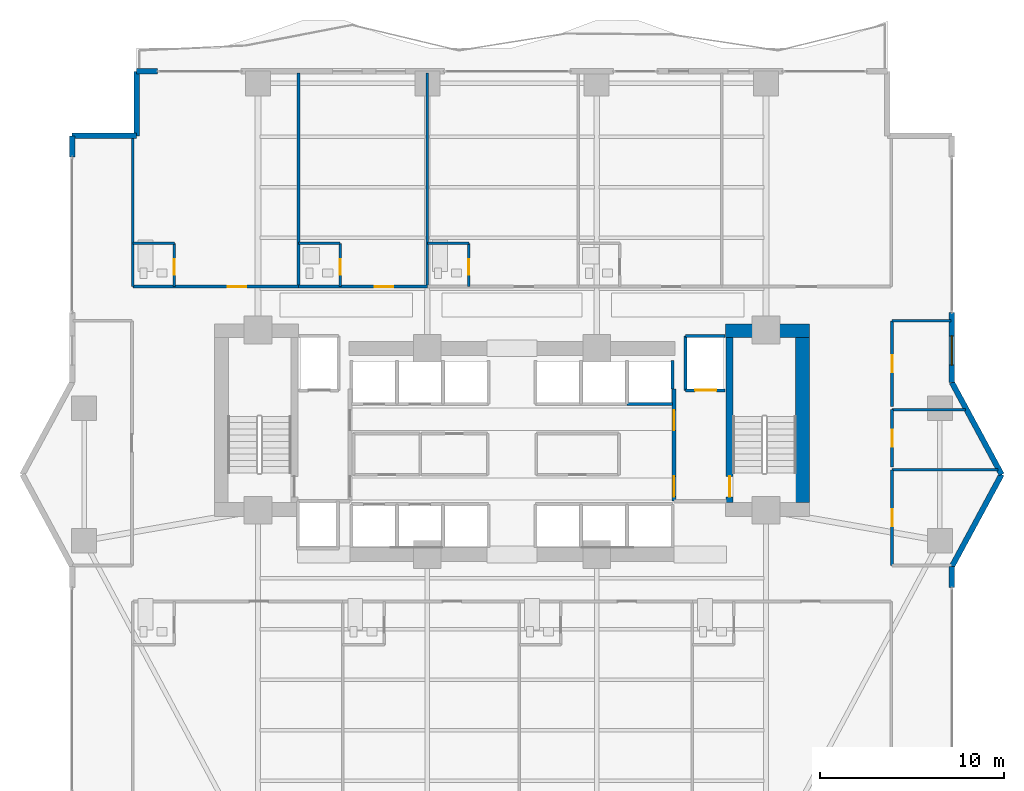
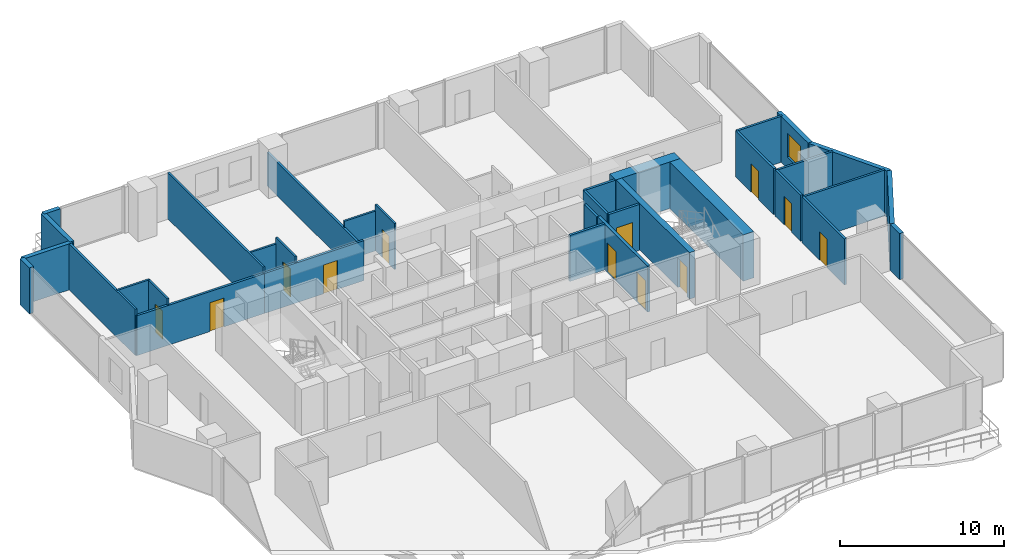
# One storey, part 22 of 27: 34 walls, 12 doors, 1 window, 13 openings.
"""IFC4 building model written with IfcOpenShell, lengths in metres."""

from ifc_helpers import new_model, si_unit, direction, frame, frame_2d, origin, place, context, subcontext, project, spatial, rectangle, extrude, material, layer, layer_set, type_object, element, fill, save


model = new_model("IFC4")

# Units and contexts
model_context = context("Model", 3, precision=1e-05, world=origin(), true_north=direction((0.0, 1.0)))
body_context = subcontext(model_context, "Body", "Model", "MODEL_VIEW")
ifc_project = project(units=[si_unit("LENGTHUNIT", "METRE"), si_unit("AREAUNIT", "SQUARE_METRE"), si_unit("VOLUMEUNIT", "CUBIC_METRE"), si_unit("PLANEANGLEUNIT", "RADIAN"), si_unit("MASSUNIT", "GRAM", prefix="KILO")], contexts=[model_context])

# Site, building, storey
site_placement = place(None, origin())
site = spatial("IfcSite", under=ifc_project, at=site_placement, CompositionType="ELEMENT")
building_placement = place(site_placement, origin())
building = spatial("IfcBuilding", under=site, at=building_placement, Name="Zuhayl Quay Hotel", CompositionType="ELEMENT")
storey_placement = place(building_placement, frame((0.0, 0.0, 124.85009765625)))
storey = spatial("IfcBuildingStorey", under=building, at=storey_placement, Name="L31", CompositionType="ELEMENT", Elevation=124.85009765625)

# Walls
ifc_material_1 = material(Name="Concrete C60/75", Category="concrete")
ifc_layer_1 = layer(ifc_material_1, 0.75, Name="Concrete C60/75", Category="concrete")
ifc_layer_set_1 = layer_set([ifc_layer_1], Name="Concrete C60/75")
wall_type_1 = type_object("IfcWallType", Name="WL_CORE_750", PredefinedType="SHEAR", material=ifc_layer_set_1)
wall_1_placement = place(storey_placement, frame((11.60009765625, 14.304931640625, 0.0), z_axis=(0.0, 0.0, 1.0), x_axis=(1.0, 0.0, 0.0)))
element("IfcWall", 1, at=wall_1_placement, inside=storey, type_object=wall_type_1, Name="L31 Core Shear Wall CW_NE", PredefinedType="SHEAR", context=body_context, shape_type="SweptSolid", body=[
    extrude(rectangle(XDim=4.559814453125, YDim=0.75, at=frame_2d((2.27978515625, 0.0))), origin(), (0.0, 0.0, 1.0), 3.4599609375),
])
wall_2_placement = place(storey_placement, frame((15.784912109375, 4.969970703125, 0.0), z_axis=(0.0, 0.0, 1.0), x_axis=(0.0, 1.0, 0.0)))
element("IfcWall", 2, at=wall_2_placement, inside=storey, type_object=wall_type_1, Name="L31 Core Shear Wall CW_E", PredefinedType="SHEAR", context=body_context, shape_type="SweptSolid", body=[
    extrude(rectangle(XDim=8.9599609375, YDim=0.75, at=frame_2d((4.47998046875, 0.0))), origin(), (0.0, 0.0, 1.0), 3.4599609375),
])
ifc_material_2 = material(Name="Precast concrete C45/55", Category="concrete")
ifc_layer_2 = layer(ifc_material_2, 0.300048828125, Name="Precast concrete C45/55", Category="concrete")
ifc_layer_set_2 = layer_set([ifc_layer_2], Name="Precast concrete C45/55")
wall_type_2 = type_object("IfcWallType", Name="WL_EXT_300", PredefinedType="STANDARD", material=ifc_layer_set_2)
wall_3_placement = place(storey_placement, frame((-23.89990234375, 23.75, 0.0), z_axis=(0.0, 0.0, 1.0), x_axis=(0.0, 1.0, 0.0)))
element("IfcWall", 3, at=wall_3_placement, inside=storey, type_object=wall_type_2, Name="L31 Exterior Precast Wall ENV_L31_E05_EW2", PredefinedType="STANDARD", context=body_context, shape_type="SweptSolid", body=[
    extrude(rectangle(XDim=1.14990234375, YDim=0.300048828125, at=frame_2d((0.574951171875, 0.0))), origin(), (0.0, 0.0, 1.0), 3.429931640625),
])
for number, where, z_axis, x_axis, name in (
    (4, (-23.89990234375, 24.89990234375, 0.0), (0.0, 0.0, 1.0), (1.0, 0.0, 0.0), "L31 Exterior Precast Wall ENV_L31_EW06"),
    (5, (-20.39990234375, 24.89990234375, 0.0), (0.0, 0.0, 1.0), (0.0, 1.0, 0.0), "L31 Exterior Precast Wall ENV_L31_EW07"),
):
    element("IfcWall", number, at=place(storey_placement, frame(where, z_axis=z_axis, x_axis=x_axis)), inside=storey, type_object=wall_type_2, Name=name, PredefinedType="STANDARD", context=body_context, shape_type="SweptSolid", body=[
        extrude(rectangle(XDim=3.5, YDim=0.300048828125, at=frame_2d((1.75, 0.0))), origin(), (0.0, 0.0, 1.0), 3.429931640625),
    ])
wall_4_placement = place(storey_placement, frame((-20.39990234375, 28.39990234375, 0.0), z_axis=(0.0, 0.0, 1.0), x_axis=(1.0, 0.0, 0.0)))
element("IfcWall", 6, at=wall_4_placement, inside=storey, type_object=wall_type_2, Name="L31 Exterior Precast Wall ENV_L31_N_EW1", PredefinedType="STANDARD", context=body_context, shape_type="SweptSolid", body=[
    extrude(rectangle(XDim=1.14990234375, YDim=0.300048828125, at=frame_2d((0.574951171875, 0.0))), origin(), (0.0, 0.0, 1.0), 3.429931640625),
])

# Wall, opening, window
wall_5_placement = place(storey_placement, frame((23.89990234375, 15.300048828125, 0.0), z_axis=(0.0, 0.0, 1.0), x_axis=(0.0, -1.0, 0.0)))
wall_5 = element("IfcWall", 7, at=wall_5_placement, inside=storey, type_object=wall_type_2, Name="L31 Exterior Precast Wall ENV_L31_E11_EW2", PredefinedType="STANDARD", context=body_context, shape_type="SweptSolid", body=[
    extrude(rectangle(XDim=3.800048828125, YDim=0.300048828125, at=frame_2d((1.89990234375, 0.0))), origin(), (0.0, 0.0, 1.0), 3.429931640625),
])
opening_1_placement = place(wall_5_placement, frame((1.264892578125, 0.0, 0.85009765625)))
opening_1 = element("IfcOpeningElement", 8, at=opening_1_placement, cuts=wall_5, Name="Opening W01", PredefinedType="OPENING", context=body_context, shape_type="SweptSolid", body=[
    extrude(rectangle(XDim=1.60009765625, YDim=1.800048828125, at=frame_2d((0.800048828125, 0.89990234375))), frame((0.0, 0.159912109375, 0.0), z_axis=(0.0, -1.0, 0.0), x_axis=(1.0, 0.0, 0.0)), (0.0, 0.0, 1.0), 0.320068359375),
])
ifc_material_3 = material(Name="Dark Ceramic-Fritted Solar Glass", Category="glass")
window_type = type_object("IfcWindowType", Name="WN_OPERABLE_1600", PartitioningType="DOUBLE_PANEL_VERTICAL", PredefinedType="WINDOW", material=ifc_material_3)
window_placement = place(opening_1_placement, origin())
window = element("IfcWindow", 9, at=window_placement, inside=storey, type_object=window_type, Name="L31 Operable Facade Window 2-1", OverallHeight=1.800048828125, OverallWidth=1.60009765625, PartitioningType="SINGLE_PANEL", PredefinedType="WINDOW", context=body_context, shape_type="SweptSolid", body=[
    extrude(rectangle(XDim=1.60009765625, YDim=1.800048828125, at=frame_2d((0.800048828125, 0.89990234375))), frame((0.0, 0.030029296875, 0.0), z_axis=(0.0, -1.0, 0.0), x_axis=(1.0, 0.0, 0.0)), (0.0, 0.0, 1.0), 0.06005859375),
])
fill(opening_1, window)

# Walls
for number, where, z_axis, x_axis, name in (
    (10, (23.89990234375, 11.5, 0.0), (0.0, 0.0, 1.0), (0.475175525499, -0.879891027325, 0.0), "L31 Exterior Precast Wall ENV_L31_EW12"),
    (11, (26.60009765625, 6.5, 0.0), (0.0, 0.0, 1.0), (-0.475175525499, -0.879891027325, 0.0), "L31 Exterior Precast Wall ENV_L31_EW13"),
):
    element("IfcWall", number, at=place(storey_placement, frame(where, z_axis=z_axis, x_axis=x_axis)), inside=storey, type_object=wall_type_2, Name=name, PredefinedType="STANDARD", context=body_context, shape_type="SweptSolid", body=[
        extrude(rectangle(XDim=5.6826171875, YDim=0.300048828125, at=frame_2d((2.84130859375, 0.0))), origin(), (0.0, 0.0, 1.0), 3.429931640625),
    ])
wall_6_placement = place(storey_placement, frame((23.89990234375, 1.5, 0.0), z_axis=(0.0, 0.0, 1.0), x_axis=(0.0, -1.0, 0.0)))
element("IfcWall", 12, at=wall_6_placement, inside=storey, type_object=wall_type_2, Name="L31 Exterior Precast Wall ENV_L31_E14_EW1", PredefinedType="STANDARD", context=body_context, shape_type="SweptSolid", body=[
    extrude(rectangle(XDim=1.14990234375, YDim=0.300048828125, at=frame_2d((0.574951171875, 0.0))), origin(), (0.0, 0.0, 1.0), 3.429931640625),
])
ifc_material_4 = material(Name="Acoustic Gypsum Partition STC-58")
ifc_layer_3 = layer(ifc_material_4, 0.14990234375, Name="Acoustic Gypsum Partition STC-58")
ifc_layer_set_3 = layer_set([ifc_layer_3], Name="Acoustic Gypsum Partition STC-58")
wall_type_3 = type_object("IfcWallType", Name="WL_PART_150", PredefinedType="PARTITIONING", material=ifc_layer_set_3)
wall_7_placement = place(storey_placement, frame((-20.60009765625, 16.699951171875, 0.0), z_axis=(0.0, 0.0, 1.0), x_axis=(0.0, 1.0, 0.0)))
element("IfcWall", 13, at=wall_7_placement, inside=storey, type_object=wall_type_3, Name="L31 Partition IW_L31_NU01_W", PredefinedType="PARTITIONING", context=body_context, shape_type="SweptSolid", body=[
    extrude(rectangle(XDim=8.199951171875, YDim=0.14990234375, at=frame_2d((4.10009765625, 0.0))), origin(), (0.0, 0.0, 1.0), 3.429931640625),
])
wall_8_placement = place(storey_placement, frame((-11.60009765625, 16.699951171875, 0.0), z_axis=(0.0, 0.0, 1.0), x_axis=(0.0, 1.0, 0.0)))
element("IfcWall", 14, at=wall_8_placement, inside=storey, type_object=wall_type_3, Name="L31 Partition IW_L31_NU01_E", PredefinedType="PARTITIONING", context=body_context, shape_type="SweptSolid", body=[
    extrude(rectangle(XDim=11.6201171875, YDim=0.14990234375, at=frame_2d((5.81005859375, 0.0))), origin(), (0.0, 0.0, 1.0), 3.429931640625),
])
wall_9_placement = place(storey_placement, frame((-4.60009765625, 16.699951171875, 0.0), z_axis=(0.0, 0.0, 1.0), x_axis=(0.0, 1.0, 0.0)))
element("IfcWall", 15, at=wall_9_placement, inside=storey, type_object=wall_type_3, Name="L31 Partition IW_L31_NU02_E", PredefinedType="PARTITIONING", context=body_context, shape_type="SweptSolid", body=[
    extrude(rectangle(XDim=11.6201171875, YDim=0.14990234375, at=frame_2d((5.81005859375, 0.0))), origin(), (0.0, 0.0, 1.0), 2.5029296875),
])
wall_10_placement = place(storey_placement, frame((20.64990234375, 6.75, 0.0), z_axis=(0.0, 0.0, 1.0), x_axis=(1.0, 0.0, 0.0)))
element("IfcWall", 16, at=wall_10_placement, inside=storey, type_object=wall_type_3, Name="L31 Partition IW_L31_HK_MAIN_N", PredefinedType="PARTITIONING", context=body_context, shape_type="SweptSolid", body=[
    extrude(rectangle(XDim=5.755126953125, YDim=0.14990234375, at=frame_2d((2.87744140625, 0.0))), origin(), (0.0, 0.0, 1.0), 3.429931640625),
])
wall_11_placement = place(storey_placement, frame((20.64990234375, 10.02001953125, 0.0), z_axis=(0.0, 0.0, 1.0), x_axis=(1.0, 0.0, 0.0)))
element("IfcWall", 17, at=wall_11_placement, inside=storey, type_object=wall_type_3, Name="L31 Partition IW_L31_EFLK_2_N", PredefinedType="PARTITIONING", context=body_context, shape_type="SweptSolid", body=[
    extrude(rectangle(XDim=3.9892578125, YDim=0.14990234375, at=frame_2d((1.99462890625, 0.0))), origin(), (0.0, 0.0, 1.0), 3.429931640625),
])
wall_12_placement = place(storey_placement, frame((20.64990234375, 14.85009765625, 0.0), z_axis=(0.0, 0.0, 1.0), x_axis=(1.0, 0.0, 0.0)))
element("IfcWall", 18, at=wall_12_placement, inside=storey, type_object=wall_type_3, Name="L31 Partition IW_L31_EFLK_3_N", PredefinedType="PARTITIONING", context=body_context, shape_type="SweptSolid", body=[
    extrude(rectangle(XDim=3.190185546875, YDim=0.14990234375, at=frame_2d((1.59521484375, 0.0))), origin(), (0.0, 0.0, 1.0), 3.429931640625),
])

# Wall, opening, door
ifc_layer_4 = layer(ifc_material_4, 0.159912109375, Name="Acoustic Gypsum Partition STC-58")
ifc_layer_set_4 = layer_set([ifc_layer_4], Name="Acoustic Gypsum Partition STC-58")
wall_type_4 = type_object("IfcWallType", Name="WL_PART_CORR_160", PredefinedType="PARTITIONING", material=ifc_layer_set_4)
wall_13_placement = place(storey_placement, frame((-20.60009765625, 16.699951171875, 0.0), z_axis=(0.0, 0.0, 1.0), x_axis=(1.0, 0.0, 0.0)))
wall_13 = element("IfcWall", 19, at=wall_13_placement, inside=storey, type_object=wall_type_4, Name="L31 Partition IW_L31_NU01_COR", PredefinedType="PARTITIONING", context=body_context, shape_type="SweptSolid", body=[
    extrude(rectangle(XDim=9.0, YDim=0.159912109375, at=frame_2d((4.5, 0.0))), origin(), (0.0, 0.0, 1.0), 2.972900390625),
])
opening_2_placement = place(wall_13_placement, frame((5.14990234375, 0.0, 0.0)))
opening_2 = element("IfcOpeningElement", 20, at=opening_2_placement, cuts=wall_13, Name="Opening D03L", PredefinedType="OPENING", context=body_context, shape_type="SweptSolid", body=[
    extrude(rectangle(XDim=1.0, YDim=2.14990234375, at=frame_2d((0.5, 1.074951171875))), frame((0.0, 0.08984375, 0.0), z_axis=(0.0, -1.0, 0.0), x_axis=(1.0, 0.0, 0.0)), (0.0, 0.0, 1.0), 0.179931640625),
])
ifc_material_5 = material(Name="Solid Walnut Acoustic Fire Door")
door_type_1 = type_object("IfcDoorType", Name="DR_SUITE_1000", OperationType="NOTDEFINED", PredefinedType="DOOR", material=ifc_material_5)
door_1_placement = place(opening_2_placement, origin())
door_1 = element("IfcDoor", 21, at=door_1_placement, inside=storey, type_object=door_type_1, Name="L31 Executive Suite L31-01 Entrance Door", OperationType="SINGLE_SWING_LEFT", OverallHeight=2.14990234375, OverallWidth=1.0, PredefinedType="DOOR", context=body_context, shape_type="SweptSolid", body=[
    extrude(rectangle(XDim=1.0, YDim=2.14990234375, at=frame_2d((0.5, 1.074951171875))), frame((0.0, 0.02490234375, 0.0), z_axis=(0.0, -1.0, 0.0), x_axis=(1.0, 0.0, 0.0)), (0.0, 0.0, 1.0), 0.050048828125),
])
fill(opening_2, door_1)

wall_14_placement = place(storey_placement, frame((-11.60009765625, 16.699951171875, 0.0), z_axis=(0.0, 0.0, 1.0), x_axis=(1.0, 0.0, 0.0)))
wall_14 = element("IfcWall", 22, at=wall_14_placement, inside=storey, type_object=wall_type_4, Name="L31 Partition IW_L31_NU02_COR", PredefinedType="PARTITIONING", context=body_context, shape_type="SweptSolid", body=[
    extrude(rectangle(XDim=7.0, YDim=0.159912109375, at=frame_2d((3.5, 0.0))), origin(), (0.0, 0.0, 1.0), 2.972900390625),
])
opening_3_placement = place(wall_14_placement, frame((4.14990234375, 0.0, 0.0)))
opening_3 = element("IfcOpeningElement", 23, at=opening_3_placement, cuts=wall_14, Name="Opening D03L", PredefinedType="OPENING", context=body_context, shape_type="SweptSolid", body=[
    extrude(rectangle(XDim=1.0, YDim=2.14990234375, at=frame_2d((0.5, 1.074951171875))), frame((0.0, 0.08984375, 0.0), z_axis=(0.0, -1.0, 0.0), x_axis=(1.0, 0.0, 0.0)), (0.0, 0.0, 1.0), 0.179931640625),
])
door_2_placement = place(opening_3_placement, origin())
door_2 = element("IfcDoor", 24, at=door_2_placement, inside=storey, type_object=door_type_1, Name="L31 Executive Suite L31-02 Entrance Door", OperationType="SINGLE_SWING_LEFT", OverallHeight=2.14990234375, OverallWidth=1.0, PredefinedType="DOOR", context=body_context, shape_type="SweptSolid", body=[
    extrude(rectangle(XDim=1.0, YDim=2.14990234375, at=frame_2d((0.5, 1.074951171875))), frame((0.0, 0.02490234375, 0.0), z_axis=(0.0, -1.0, 0.0), x_axis=(1.0, 0.0, 0.0)), (0.0, 0.0, 1.0), 0.050048828125),
])
fill(opening_3, door_2)

wall_15_placement = place(storey_placement, frame((20.64990234375, 1.550048828125, 0.0), z_axis=(0.0, 0.0, 1.0), x_axis=(0.0, 1.0, 0.0)))
wall_15 = element("IfcWall", 25, at=wall_15_placement, inside=storey, type_object=wall_type_4, Name="L31 Partition IW_L31_HK_MAIN_W", PredefinedType="PARTITIONING", context=body_context, shape_type="SweptSolid", body=[
    extrude(rectangle(XDim=5.199951171875, YDim=0.159912109375, at=frame_2d((2.60009765625, 0.0))), origin(), (0.0, 0.0, 1.0), 3.429931640625),
])
opening_4_placement = place(wall_15_placement, frame((2.139892578125, 0.0, 0.0)))
opening_4 = element("IfcOpeningElement", 26, at=opening_4_placement, cuts=wall_15, Name="Opening D05", PredefinedType="OPENING", context=body_context, shape_type="SweptSolid", body=[
    extrude(rectangle(XDim=0.919921875, YDim=2.1201171875, at=frame_2d((0.4599609375, 1.06005859375))), frame((0.0, 0.08984375, 0.0), z_axis=(0.0, -1.0, 0.0), x_axis=(1.0, 0.0, 0.0)), (0.0, 0.0, 1.0), 0.179931640625),
])
door_type_2 = type_object("IfcDoorType", Name="DR_INT_950", OperationType="NOTDEFINED", PredefinedType="DOOR", material=ifc_material_5)
door_3_placement = place(opening_4_placement, origin())
door_3 = element("IfcDoor", 27, at=door_3_placement, inside=storey, type_object=door_type_2, Name="L31 Housekeeping and Linen Room Door", OperationType="SINGLE_SWING_LEFT", OverallHeight=2.1201171875, OverallWidth=0.919921875, PredefinedType="DOOR", context=body_context, shape_type="SweptSolid", body=[
    extrude(rectangle(XDim=0.919921875, YDim=2.1201171875, at=frame_2d((0.4599609375, 1.06005859375))), frame((0.0, 0.02490234375, 0.0), z_axis=(0.0, -1.0, 0.0), x_axis=(1.0, 0.0, 0.0)), (0.0, 0.0, 1.0), 0.050048828125),
])
fill(opening_4, door_3)

wall_16_placement = place(storey_placement, frame((20.64990234375, 6.909912109375, 0.0), z_axis=(0.0, 0.0, 1.0), x_axis=(0.0, 1.0, 0.0)))
wall_16 = element("IfcWall", 28, at=wall_16_placement, inside=storey, type_object=wall_type_4, Name="L31 Partition IW_L31_EFLK_2_W", PredefinedType="PARTITIONING", context=body_context, shape_type="SweptSolid", body=[
    extrude(rectangle(XDim=3.110107421875, YDim=0.159912109375, at=frame_2d((1.55517578125, 0.0))), origin(), (0.0, 0.0, 1.0), 3.429931640625),
])
opening_5_placement = place(wall_16_placement, frame((1.094970703125, 0.0, 0.0)))
opening_5 = element("IfcOpeningElement", 29, at=opening_5_placement, cuts=wall_16, Name="Opening D05", PredefinedType="OPENING", context=body_context, shape_type="SweptSolid", body=[
    extrude(rectangle(XDim=0.919921875, YDim=2.1201171875, at=frame_2d((0.4599609375, 1.06005859375))), frame((0.0, 0.08984375, 0.0), z_axis=(0.0, -1.0, 0.0), x_axis=(1.0, 0.0, 0.0)), (0.0, 0.0, 1.0), 0.179931640625),
])
door_4_placement = place(opening_5_placement, origin())
door_4 = element("IfcDoor", 30, at=door_4_placement, inside=storey, type_object=door_type_2, Name="L31 Floor Beverage Pantry Door", OperationType="SINGLE_SWING_RIGHT", OverallHeight=2.1201171875, OverallWidth=0.919921875, PredefinedType="DOOR", context=body_context, shape_type="SweptSolid", body=[
    extrude(rectangle(XDim=0.919921875, YDim=2.1201171875, at=frame_2d((0.4599609375, 1.06005859375))), frame((0.0, 0.02490234375, 0.0), z_axis=(0.0, -1.0, 0.0), x_axis=(1.0, 0.0, 0.0)), (0.0, 0.0, 1.0), 0.050048828125),
])
fill(opening_5, door_4)

wall_17_placement = place(storey_placement, frame((20.64990234375, 10.179931640625, 0.0), z_axis=(0.0, 0.0, 1.0), x_axis=(0.0, 1.0, 0.0)))
wall_17 = element("IfcWall", 31, at=wall_17_placement, inside=storey, type_object=wall_type_4, Name="L31 Partition IW_L31_EFLK_3_W", PredefinedType="PARTITIONING", context=body_context, shape_type="SweptSolid", body=[
    extrude(rectangle(XDim=4.670166015625, YDim=0.159912109375, at=frame_2d((2.3349609375, 0.0))), origin(), (0.0, 0.0, 1.0), 3.429931640625),
])
opening_6_placement = place(wall_17_placement, frame((1.875, 0.0, 0.0)))
opening_6 = element("IfcOpeningElement", 32, at=opening_6_placement, cuts=wall_17, Name="Opening D05", PredefinedType="OPENING", context=body_context, shape_type="SweptSolid", body=[
    extrude(rectangle(XDim=0.919921875, YDim=2.1201171875, at=frame_2d((0.4599609375, 1.06005859375))), frame((0.0, 0.08984375, 0.0), z_axis=(0.0, -1.0, 0.0), x_axis=(1.0, 0.0, 0.0)), (0.0, 0.0, 1.0), 0.179931640625),
])
door_5_placement = place(opening_6_placement, origin())
door_5 = element("IfcDoor", 33, at=door_5_placement, inside=storey, type_object=door_type_2, Name="L31 East Prow Office L31 Door", OperationType="SINGLE_SWING_LEFT", OverallHeight=2.1201171875, OverallWidth=0.919921875, PredefinedType="DOOR", context=body_context, shape_type="SweptSolid", body=[
    extrude(rectangle(XDim=0.919921875, YDim=2.1201171875, at=frame_2d((0.4599609375, 1.06005859375))), frame((0.0, 0.02490234375, 0.0), z_axis=(0.0, -1.0, 0.0), x_axis=(1.0, 0.0, 0.0)), (0.0, 0.0, 1.0), 0.050048828125),
])
fill(opening_6, door_5)

ifc_material_6 = material(Name="Moisture-Resistant Sanitarychase Gypsum")
ifc_layer_5 = layer(ifc_material_6, 0.135009765625, Name="Moisture-Resistant Sanitarychase Gypsum")
ifc_layer_set_5 = layer_set([ifc_layer_5], Name="Moisture-Resistant Sanitarychase Gypsum")
wall_type_5 = type_object("IfcWallType", Name="WL_PART_PLUMB_150", PredefinedType="PLUMBINGWALL", material=ifc_layer_set_5)
wall_18_placement = place(storey_placement, frame((-18.340087890625, 16.699951171875, 0.0), z_axis=(0.0, 0.0, 1.0), x_axis=(0.0, 1.0, 0.0)))
wall_18 = element("IfcWall", 34, at=wall_18_placement, inside=storey, type_object=wall_type_5, Name="L31 Partition IW_L31_NU01_BE", PredefinedType="PLUMBINGWALL", context=body_context, shape_type="SweptSolid", body=[
    extrude(rectangle(XDim=2.360107421875, YDim=0.135009765625, at=frame_2d((1.18017578125, 0.0))), origin(), (0.0, 0.0, 1.0), 3.429931640625),
])
opening_7_placement = place(wall_18_placement, frame((0.64990234375, 0.0, 0.0)))
opening_7 = element("IfcOpeningElement", 35, at=opening_7_placement, cuts=wall_18, Name="Opening D04", PredefinedType="OPENING", context=body_context, shape_type="SweptSolid", body=[
    extrude(rectangle(XDim=0.85009765625, YDim=2.10009765625, at=frame_2d((0.425048828125, 1.050048828125))), frame((0.0, 0.077392578125, 0.0), z_axis=(0.0, -1.0, 0.0), x_axis=(1.0, 0.0, 0.0)), (0.0, 0.0, 1.0), 0.155029296875),
])
ifc_material_7 = material(Name="Moisture-Resistant Walnut Veneer")
door_type_3 = type_object("IfcDoorType", Name="DR_BATH_850", OperationType="NOTDEFINED", PredefinedType="DOOR", material=ifc_material_7)
door_6_placement = place(opening_7_placement, origin())
door_6 = element("IfcDoor", 36, at=door_6_placement, inside=storey, type_object=door_type_3, Name="L31 Executive Suite L31-01 En-Suite Door", OperationType="SINGLE_SWING_RIGHT", OverallHeight=2.10009765625, OverallWidth=0.85009765625, PredefinedType="DOOR", context=body_context, shape_type="SweptSolid", body=[
    extrude(rectangle(XDim=0.85009765625, YDim=2.10009765625, at=frame_2d((0.425048828125, 1.050048828125))), frame((0.0, 0.02490234375, 0.0), z_axis=(0.0, -1.0, 0.0), x_axis=(1.0, 0.0, 0.0)), (0.0, 0.0, 1.0), 0.050048828125),
])
fill(opening_7, door_6)

wall_19_placement = place(storey_placement, frame((-9.340087890625, 16.699951171875, 0.0), z_axis=(0.0, 0.0, 1.0), x_axis=(0.0, 1.0, 0.0)))
wall_19 = element("IfcWall", 37, at=wall_19_placement, inside=storey, type_object=wall_type_5, Name="L31 Partition IW_L31_NU02_BE", PredefinedType="PLUMBINGWALL", context=body_context, shape_type="SweptSolid", body=[
    extrude(rectangle(XDim=2.360107421875, YDim=0.135009765625, at=frame_2d((1.18017578125, 0.0))), origin(), (0.0, 0.0, 1.0), 3.429931640625),
])
opening_8_placement = place(wall_19_placement, frame((0.64990234375, 0.0, 0.0)))
opening_8 = element("IfcOpeningElement", 38, at=opening_8_placement, cuts=wall_19, Name="Opening D04", PredefinedType="OPENING", context=body_context, shape_type="SweptSolid", body=[
    extrude(rectangle(XDim=0.85009765625, YDim=2.10009765625, at=frame_2d((0.425048828125, 1.050048828125))), frame((0.0, 0.077392578125, 0.0), z_axis=(0.0, -1.0, 0.0), x_axis=(1.0, 0.0, 0.0)), (0.0, 0.0, 1.0), 0.155029296875),
])
door_7_placement = place(opening_8_placement, origin())
door_7 = element("IfcDoor", 39, at=door_7_placement, inside=storey, type_object=door_type_3, Name="L31 Executive Suite L31-02 En-Suite Door", OperationType="SINGLE_SWING_RIGHT", OverallHeight=2.10009765625, OverallWidth=0.85009765625, PredefinedType="DOOR", context=body_context, shape_type="SweptSolid", body=[
    extrude(rectangle(XDim=0.85009765625, YDim=2.10009765625, at=frame_2d((0.425048828125, 1.050048828125))), frame((0.0, 0.02490234375, 0.0), z_axis=(0.0, -1.0, 0.0), x_axis=(1.0, 0.0, 0.0)), (0.0, 0.0, 1.0), 0.050048828125),
])
fill(opening_8, door_7)

wall_20_placement = place(storey_placement, frame((-2.340087890625, 16.699951171875, 0.0), z_axis=(0.0, 0.0, 1.0), x_axis=(0.0, 1.0, 0.0)))
wall_20 = element("IfcWall", 40, at=wall_20_placement, inside=storey, type_object=wall_type_5, Name="L31 Partition IW_L31_NU03_BE", PredefinedType="PLUMBINGWALL", context=body_context, shape_type="SweptSolid", body=[
    extrude(rectangle(XDim=2.360107421875, YDim=0.135009765625, at=frame_2d((1.18017578125, 0.0))), origin(), (0.0, 0.0, 1.0), 3.429931640625),
])
opening_9_placement = place(wall_20_placement, frame((0.64990234375, 0.0, 0.0)))
opening_9 = element("IfcOpeningElement", 41, at=opening_9_placement, cuts=wall_20, Name="Opening D04", PredefinedType="OPENING", context=body_context, shape_type="SweptSolid", body=[
    extrude(rectangle(XDim=0.85009765625, YDim=2.10009765625, at=frame_2d((0.425048828125, 1.050048828125))), frame((0.0, 0.077392578125, 0.0), z_axis=(0.0, -1.0, 0.0), x_axis=(1.0, 0.0, 0.0)), (0.0, 0.0, 1.0), 0.155029296875),
])
door_8_placement = place(opening_9_placement, origin())
door_8 = element("IfcDoor", 42, at=door_8_placement, inside=storey, type_object=door_type_3, Name="L31 Executive Suite L31-03 En-Suite Door", OperationType="SINGLE_SWING_RIGHT", OverallHeight=2.10009765625, OverallWidth=0.85009765625, PredefinedType="DOOR", context=body_context, shape_type="SweptSolid", body=[
    extrude(rectangle(XDim=0.85009765625, YDim=2.10009765625, at=frame_2d((0.425048828125, 1.050048828125))), frame((0.0, 0.02490234375, 0.0), z_axis=(0.0, -1.0, 0.0), x_axis=(1.0, 0.0, 0.0)), (0.0, 0.0, 1.0), 0.050048828125),
])
fill(opening_9, door_8)

# Walls
wall_21_placement = place(storey_placement, frame((-20.60009765625, 19.06005859375, 0.0), z_axis=(0.0, 0.0, 1.0), x_axis=(1.0, 0.0, 0.0)))
element("IfcWall", 43, at=wall_21_placement, inside=storey, type_object=wall_type_5, Name="L31 Partition IW_L31_NU01_BN", PredefinedType="PLUMBINGWALL", context=body_context, shape_type="SweptSolid", body=[
    extrude(rectangle(XDim=2.260009765625, YDim=0.135009765625, at=frame_2d((1.1298828125, 0.0))), origin(), (0.0, 0.0, 1.0), 3.429931640625),
])
for number, where, z_axis, x_axis, name in (
    (44, (-11.60009765625, 19.06005859375, 0.0), (0.0, 0.0, 1.0), (1.0, 0.0, 0.0), "L31 Partition IW_L31_NU02_BN"),
    (45, (-4.60009765625, 19.06005859375, 0.0), (0.0, 0.0, 1.0), (1.0, 0.0, 0.0), "L31 Partition IW_L31_NU03_BN"),
):
    element("IfcWall", number, at=place(storey_placement, frame(where, z_axis=z_axis, x_axis=x_axis)), inside=storey, type_object=wall_type_5, Name=name, PredefinedType="PLUMBINGWALL", context=body_context, shape_type="SweptSolid", body=[
        extrude(rectangle(XDim=2.260009765625, YDim=0.135009765625, at=frame_2d((1.1298828125, 0.0))), origin(), (0.0, 0.0, 1.0), 2.972900390625),
    ])

# Wall, opening, door
ifc_material_8 = material(Name="Gypsum Fireboard Assembly EI-90")
ifc_layer_6 = layer(ifc_material_8, 0.1650390625, Name="Gypsum Fireboard Assembly EI-90")
ifc_layer_set_6 = layer_set([ifc_layer_6], Name="Gypsum Fireboard Assembly EI-90")
wall_type_6 = type_object("IfcWallType", Name="WL_PART_SHAFT_160", PredefinedType="PARTITIONING", material=ifc_layer_set_6)
wall_22_placement = place(storey_placement, frame((9.419921875, 11.070068359375, 0.0), z_axis=(0.0, 0.0, 1.0), x_axis=(1.0, 0.0, 0.0)))
wall_22 = element("IfcWall", 46, at=wall_22_placement, inside=storey, type_object=wall_type_6, Name="L31 Partition IW_L31_SH_FL2_F", PredefinedType="PARTITIONING", context=body_context, shape_type="SweptSolid", body=[
    extrude(rectangle(XDim=2.16015625, YDim=0.1650390625, at=frame_2d((1.080078125, 0.0))), origin(), (0.0, 0.0, 1.0), 3.429931640625),
])
opening_10_placement = place(wall_22_placement, frame((0.530029296875, 0.0, 0.0)))
opening_10 = element("IfcOpeningElement", 47, at=opening_10_placement, cuts=wall_22, Name="Opening LD2", PredefinedType="OPENING", context=body_context, shape_type="SweptSolid", body=[
    extrude(rectangle(XDim=1.14990234375, YDim=2.25, at=frame_2d((0.574951171875, 1.125))), frame((0.0, 0.092529296875, 0.0), z_axis=(0.0, -1.0, 0.0), x_axis=(1.0, 0.0, 0.0)), (0.0, 0.0, 1.0), 0.18505859375),
])
ifc_material_9 = material(Name="Brushed Stainless Steel", Category="steel")
door_type_4 = type_object("IfcDoorType", Name="DR_LIFT_FF_1100", OperationType="SLIDING_TO_LEFT", PredefinedType="DOOR", material=ifc_material_9)
door_9_placement = place(opening_10_placement, origin())
door_9 = element("IfcDoor", 48, at=door_9_placement, inside=storey, type_object=door_type_4, Name="L31 Lift FL2 Sliding Landing Door", OperationType="SLIDING_TO_LEFT", OverallHeight=2.25, OverallWidth=1.14990234375, PredefinedType="DOOR", context=body_context, shape_type="SweptSolid", body=[
    extrude(rectangle(XDim=1.14990234375, YDim=2.25, at=frame_2d((0.574951171875, 1.125))), frame((0.0, 0.02490234375, 0.0), z_axis=(0.0, -1.0, 0.0), x_axis=(1.0, 0.0, 0.0)), (0.0, 0.0, 1.0), 0.050048828125),
])
fill(opening_10, door_9)

# Walls
wall_23_placement = place(storey_placement, frame((9.419921875, 11.070068359375, 0.0), z_axis=(0.0, 0.0, 1.0), x_axis=(0.0, 1.0, 0.0)))
element("IfcWall", 49, at=wall_23_placement, inside=storey, type_object=wall_type_6, Name="L31 Partition IW_L31_SH_FL2_W", PredefinedType="PARTITIONING", context=body_context, shape_type="SweptSolid", body=[
    extrude(rectangle(XDim=2.9599609375, YDim=0.1650390625, at=frame_2d((1.47998046875, 0.0))), origin(), (0.0, 0.0, 1.0), 3.429931640625),
])
wall_24_placement = place(storey_placement, frame((9.419921875, 14.030029296875, 0.0), z_axis=(0.0, 0.0, 1.0), x_axis=(1.0, 0.0, 0.0)))
element("IfcWall", 50, at=wall_24_placement, inside=storey, type_object=wall_type_6, Name="L31 Partition IW_L31_SH_FL2_B", PredefinedType="PARTITIONING", context=body_context, shape_type="SweptSolid", body=[
    extrude(rectangle(XDim=2.16015625, YDim=0.1650390625, at=frame_2d((1.080078125, 0.0))), origin(), (0.0, 0.0, 1.0), 3.429931640625),
])
wall_25_placement = place(storey_placement, frame((6.25, 10.320068359375, 0.0), z_axis=(0.0, 0.0, 1.0), x_axis=(1.0, 0.0, 0.0)))
element("IfcWall", 51, at=wall_25_placement, inside=storey, type_object=wall_type_6, Name="L31 Partition IW_L31_SH_HP4_F", PredefinedType="PARTITIONING", context=body_context, shape_type="SweptSolid", body=[
    extrude(rectangle(XDim=2.47998046875, YDim=0.1650390625, at=frame_2d((1.239990234375, 0.0))), origin(), (0.0, 0.0, 1.0), 3.429931640625),
])
wall_26_placement = place(storey_placement, frame((8.72998046875, 11.14990234375, 0.0), z_axis=(0.0, 0.0, 1.0), x_axis=(0.0, 1.0, 0.0)))
element("IfcWall", 52, at=wall_26_placement, inside=storey, type_object=wall_type_6, Name="L31 Partition IW_L31_SH_HP4_E", PredefinedType="PARTITIONING", context=body_context, shape_type="SweptSolid", body=[
    extrude(rectangle(XDim=1.530029296875, YDim=0.1650390625, at=frame_2d((0.76513671875, 0.0))), origin(), (0.0, 0.0, 1.0), 3.429931640625),
])

# Wall, openings, doors
ifc_material_10 = material(Name="Gypsum Fireboard Assembly EI-120")
ifc_layer_7 = layer(ifc_material_10, 0.199951171875, Name="Gypsum Fireboard Assembly EI-120")
ifc_layer_set_7 = layer_set([ifc_layer_7], Name="Gypsum Fireboard Assembly EI-120")
wall_type_7 = type_object("IfcWallType", Name="WL_PART_SHAFT_200", PredefinedType="PARTITIONING", material=ifc_layer_set_7)
wall_27_placement = place(storey_placement, frame((8.800048828125, 11.14990234375, 0.0), z_axis=(0.0, 0.0, 1.0), x_axis=(0.0, -1.0, 0.0)))
wall_27 = element("IfcWall", 53, at=wall_27_placement, inside=storey, type_object=wall_type_7, Name="L31 Partition IW_L31_FSAE_E_W", PredefinedType="PARTITIONING", context=body_context, shape_type="SweptSolid", body=[
    extrude(rectangle(XDim=6.099853515625, YDim=0.199951171875, at=frame_2d((3.0498046875, 0.0))), origin(), (0.0, 0.0, 1.0), 3.429931640625),
])
opening_11_placement = place(wall_27_placement, frame((1.14990234375, 0.0, 0.0)))
opening_11 = element("IfcOpeningElement", 54, at=opening_11_placement, cuts=wall_27, Name="Opening D02", PredefinedType="OPENING", context=body_context, shape_type="SweptSolid", body=[
    extrude(rectangle(XDim=1.10009765625, YDim=2.199951171875, at=frame_2d((0.550048828125, 1.10009765625))), frame((0.0, 0.10986328125, 0.0), z_axis=(0.0, -1.0, 0.0), x_axis=(1.0, 0.0, 0.0)), (0.0, 0.0, 1.0), 0.219970703125),
])
opening_12_placement = place(wall_27_placement, frame((4.75, 0.0, 0.0)))
opening_12 = element("IfcOpeningElement", 55, at=opening_12_placement, cuts=wall_27, Name="Opening D02", PredefinedType="OPENING", context=body_context, shape_type="SweptSolid", body=[
    extrude(rectangle(XDim=1.10009765625, YDim=2.199951171875, at=frame_2d((0.550048828125, 1.10009765625))), frame((0.0, 0.10986328125, 0.0), z_axis=(0.0, -1.0, 0.0), x_axis=(1.0, 0.0, 0.0)), (0.0, 0.0, 1.0), 0.219970703125),
])
ifc_material_11 = material(Name="Steel ASTM A992 Grade 50", Category="steel")
door_type_5 = type_object("IfcDoorType", Name="DR_FIRE_90_1100", OperationType="NOTDEFINED", PredefinedType="DOOR", material=ifc_material_11)
door_10_placement = place(opening_11_placement, origin())
door_10 = element("IfcDoor", 56, at=door_10_placement, inside=storey, type_object=door_type_5, Name="L31 FSAE Lobby East North Entry Door", OperationType="SINGLE_SWING_LEFT", OverallHeight=2.199951171875, OverallWidth=1.10009765625, PredefinedType="DOOR", context=body_context, shape_type="SweptSolid", body=[
    extrude(rectangle(XDim=1.10009765625, YDim=2.199951171875, at=frame_2d((0.550048828125, 1.10009765625))), frame((0.0, 0.02490234375, 0.0), z_axis=(0.0, -1.0, 0.0), x_axis=(1.0, 0.0, 0.0)), (0.0, 0.0, 1.0), 0.050048828125),
])
fill(opening_11, door_10)
door_11_placement = place(opening_12_placement, origin())
door_11 = element("IfcDoor", 57, at=door_11_placement, inside=storey, type_object=door_type_5, Name="L31 FSAE Lobby East South Entry Door", OperationType="SINGLE_SWING_RIGHT", OverallHeight=2.199951171875, OverallWidth=1.10009765625, PredefinedType="DOOR", context=body_context, shape_type="SweptSolid", body=[
    extrude(rectangle(XDim=1.10009765625, YDim=2.199951171875, at=frame_2d((0.550048828125, 1.10009765625))), frame((0.0, 0.02490234375, 0.0), z_axis=(0.0, -1.0, 0.0), x_axis=(1.0, 0.0, 0.0)), (0.0, 0.0, 1.0), 0.050048828125),
])
fill(opening_12, door_11)

# Wall, opening, door
ifc_layer_8 = layer(ifc_material_1, 0.39990234375, Name="Concrete C60/75", Category="concrete")
ifc_layer_set_8 = layer_set([ifc_layer_8], Name="Concrete C60/75")
wall_type_8 = type_object("IfcWallType", Name="WL_STAIR_400", PredefinedType="SHEAR", material=ifc_layer_set_8)
wall_28_placement = place(storey_placement, frame((11.820068359375, 13.929931640625, 0.0), z_axis=(0.0, 0.0, 1.0), x_axis=(0.0, -1.0, 0.0)))
wall_28 = element("IfcWall", 58, at=wall_28_placement, inside=storey, type_object=wall_type_8, Name="L31 Core Shear Wall SW_ST2", PredefinedType="SHEAR", context=body_context, shape_type="SweptSolid", body=[
    extrude(rectangle(XDim=8.9599609375, YDim=0.39990234375, at=frame_2d((4.47998046875, 0.0))), origin(), (0.0, 0.0, 1.0), 3.4599609375),
])
opening_13_placement = place(wall_28_placement, frame((7.530029296875, 0.0, 0.0)))
opening_13 = element("IfcOpeningElement", 59, at=opening_13_placement, cuts=wall_28, Name="Opening D01", PredefinedType="OPENING", context=body_context, shape_type="SweptSolid", body=[
    extrude(rectangle(XDim=1.1201171875, YDim=2.219970703125, at=frame_2d((0.56005859375, 1.10986328125))), frame((0.0, 0.2099609375, 0.0), z_axis=(0.0, -1.0, 0.0), x_axis=(1.0, 0.0, 0.0)), (0.0, 0.0, 1.0), 0.419921875),
])
door_type_6 = type_object("IfcDoorType", Name="DR_STAIR_90_1100", OperationType="NOTDEFINED", PredefinedType="DOOR", material=ifc_material_11)
door_12_placement = place(opening_13_placement, origin())
door_12 = element("IfcDoor", 60, at=door_12_placement, inside=storey, type_object=door_type_6, Name="L31 Smokeproof Exit Stair ST2 Door", OperationType="SINGLE_SWING_RIGHT", OverallHeight=2.219970703125, OverallWidth=1.1201171875, PredefinedType="DOOR", context=body_context, shape_type="SweptSolid", body=[
    extrude(rectangle(XDim=1.1201171875, YDim=2.219970703125, at=frame_2d((0.56005859375, 1.10986328125))), frame((0.0, 0.02490234375, 0.0), z_axis=(0.0, -1.0, 0.0), x_axis=(1.0, 0.0, 0.0)), (0.0, 0.0, 1.0), 0.050048828125),
])
fill(opening_13, door_12)

save(model, "model.ifc")
